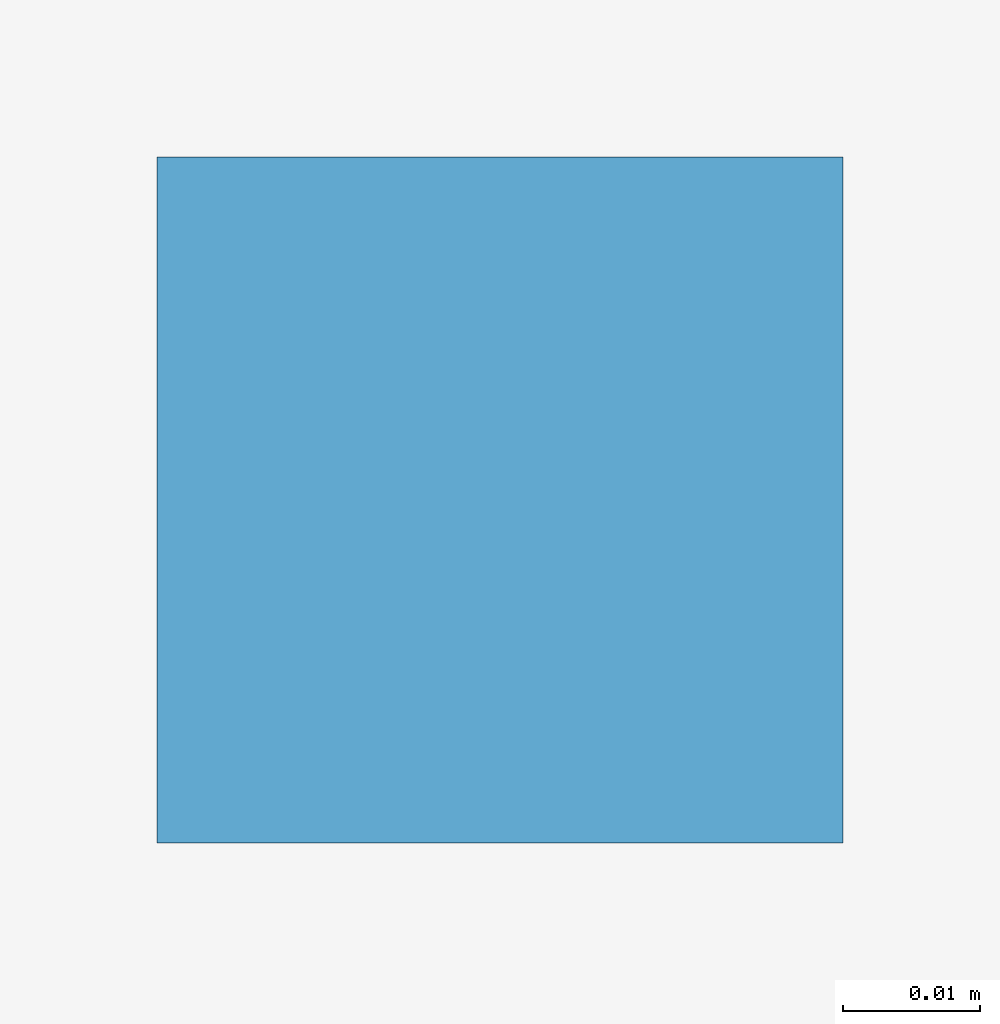
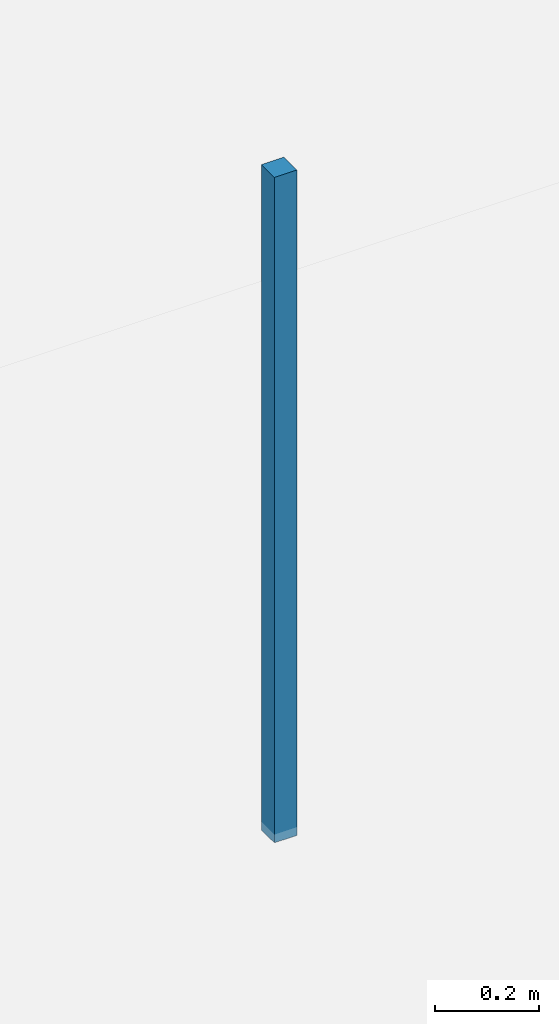
# One storey, part 45 of 54: 1 discrete accessory.
"""IFC4 building model written with IfcOpenShell, lengths in metres."""

import ifcopenshell
import ifcopenshell.guid

model = None  # the IFC model being written
_history = None  # IfcOwnerHistory: only IFC2X3 demands one
_inside = {}  # id of a spatial element -> (the spatial element, [elements in it])
_under = {}  # id of a project, library or spatial element -> (it, [spatial elements below it])
_declared = {}  # id of a project -> (the project, [libraries it declares])
_typed = {}  # id of a type object -> (the type object, [elements of that type])
_made_of = {}  # id of a material, layer set ... -> (it, [elements and type objects made of it])


def new_model(schema):
    """Start an empty IFC model of exactly this schema.

    Asked for "IFC4X3", IfcOpenShell would pick the latest addendum, in which some entities
    have other attributes; the version numbers below select the first issue.
    IFC2X3 requires an IfcOwnerHistory on every rooted entity: one is made here for all.
    """
    global model, _history
    if schema == "IFC4X3":
        model = ifcopenshell.file(schema_version=(4, 3, 0, 0))
    else:
        model = ifcopenshell.file(schema=schema)
    _inside.clear()
    _under.clear()
    _declared.clear()
    _typed.clear()
    _made_of.clear()
    _history = None
    if model.schema == "IFC2X3":
        org = make("IfcOrganization", Name="unknown")
        user = make(
            "IfcPersonAndOrganization",
            ThePerson=make("IfcPerson", FamilyName="unknown"),
            TheOrganization=org,
        )
        app = make(
            "IfcApplication",
            ApplicationDeveloper=org,
            Version="unknown",
            ApplicationFullName="unknown",
            ApplicationIdentifier="unknown",
        )
        _history = make(
            "IfcOwnerHistory",
            OwningUser=user,
            OwningApplication=app,
            ChangeAction="ADDED",
            CreationDate=0,
        )
    return model


def make(cls, **values):
    """One entity of the class cls with the attributes given. An attribute that is None is left unset."""
    return model.create_entity(
        cls, **{name: value for name, value in values.items() if value is not None}
    )


def rooted(cls, **values):
    """An entity with a GlobalId (a new one), such as an element, a storey or a relation."""
    return make(cls, GlobalId=ifcopenshell.guid.new(), OwnerHistory=_history, **values)


def si_unit(unit_type, name, prefix=None):
    """IfcSIUnit, for example si_unit("LENGTHUNIT", "METRE", prefix="MILLI")."""
    return make("IfcSIUnit", UnitType=unit_type, Prefix=prefix, Name=name)


def assignment(units):
    """IfcUnitAssignment: the units of a project."""
    return None if units is None else make("IfcUnitAssignment", Units=units)


def point(xyz):
    """IfcCartesianPoint."""
    return None if xyz is None else make("IfcCartesianPoint", Coordinates=xyz)


def direction(xyz):
    """IfcDirection."""
    return None if xyz is None else make("IfcDirection", DirectionRatios=xyz)


def frame(location, z_axis=None, x_axis=None):
    """IfcAxis2Placement3D, a coordinate frame: its origin and axes. An axis left out is left unset."""
    return make(
        "IfcAxis2Placement3D",
        Location=point(location),
        Axis=direction(z_axis),
        RefDirection=direction(x_axis),
    )


def frame_2d(location, x_axis=None):
    """IfcAxis2Placement2D, a coordinate frame in the plane: its origin and x axis."""
    return make(
        "IfcAxis2Placement2D", Location=point(location), RefDirection=direction(x_axis)
    )


def origin():
    """The frame at (0, 0, 0) with its axes left unset."""
    return frame((0.0, 0.0, 0.0))


def origin_2d():
    """The frame at (0, 0) in the plane with its x axis left unset."""
    return frame_2d((0.0, 0.0))


def place(relative_to, where):
    """IfcLocalPlacement: puts the frame where relative to a parent placement (None: the world)."""
    return make(
        "IfcLocalPlacement", PlacementRelTo=relative_to, RelativePlacement=where
    )


def context(
    kind, dimensions, precision=None, world=None, true_north=None, identifier=None
):
    """IfcGeometricRepresentationContext, for example the 3D "Model" context."""
    return make(
        "IfcGeometricRepresentationContext",
        ContextIdentifier=identifier,
        ContextType=kind,
        CoordinateSpaceDimension=dimensions,
        Precision=precision,
        WorldCoordinateSystem=world,
        TrueNorth=true_north,
    )


def subcontext(parent, identifier, kind, view, scale=None):
    """IfcGeometricRepresentationSubContext, for example "Body" below "Model"."""
    return make(
        "IfcGeometricRepresentationSubContext",
        ContextIdentifier=identifier,
        ContextType=kind,
        ParentContext=parent,
        TargetScale=scale,
        TargetView=view,
    )


def project(units=None, contexts=None):
    """IfcProject with its units and contexts."""
    return rooted(
        "IfcProject",
        Name="project",
        RepresentationContexts=contexts,
        UnitsInContext=assignment(units),
    )


def spatial(cls, under=None, at=None, **own):
    """A site, building, storey or space (cls), placed at a placement, below another one or the project."""
    s = rooted(cls, ObjectPlacement=at, **own)
    if under is not None:
        _under.setdefault(under.id(), (under, []))[1].append(s)
    return s


def profile(cls, at=None, kind="AREA", **sizes):
    """A parametric profile (cls). Its sizes go by their IFC names, for example OverallWidth=200.0."""
    return make(cls, ProfileType=kind, Position=at, **sizes)


def rectangle(**sizes):
    """IfcRectangleProfileDef."""
    return profile("IfcRectangleProfileDef", **sizes)


def extrude(swept, where, along, depth):
    """IfcExtrudedAreaSolid: the profile swept, set in the frame where, extruded along a direction by depth."""
    return make(
        "IfcExtrudedAreaSolid",
        SweptArea=swept,
        Position=where,
        ExtrudedDirection=direction(along),
        Depth=depth,
    )


def shape(context_of_items, identifier, shape_type, items):
    """IfcShapeRepresentation: the items that make up one representation, for example the "Body"."""
    return make(
        "IfcShapeRepresentation",
        ContextOfItems=context_of_items,
        RepresentationIdentifier=identifier,
        RepresentationType=shape_type,
        Items=items,
    )


def material(Name=None, Category=None):
    """IfcMaterial."""
    return make("IfcMaterial", Name=Name, Category=Category)


def made_of(thing, what):
    """Note that an element or type object is made of a material, layer set ...; save() writes the relation."""
    if what is not None:
        _made_of.setdefault(what.id(), (what, []))[1].append(thing)
    return thing


def type_object(cls, material=None, **own):
    """A type object (cls), such as IfcWallType, which elements share."""
    return made_of(rooted(cls, **own), material)


def element(
    cls,
    number,
    at=None,
    inside=None,
    cuts=None,
    type_object=None,
    material=None,
    context=None,
    identifier="Body",
    shape_type=None,
    held_by="IfcProductDefinitionShape",
    body=None,
    shapes=None,
    **own,
):
    """One element of the class cls, such as IfcWall. Its Tag is "e" and its number.

    at: its placement. inside: the storey or other place that contains it. cuts: it is an
    opening in that element (IfcRelVoidsElement). A single representation is given by context,
    identifier, shape_type and body (its items); several are given by shapes. held_by: the class
    of the entity that holds the representations. save() writes the other relations.
    """
    e = rooted(cls, Tag="e%d" % number, ObjectPlacement=at, **own)
    if body is not None:
        shapes = [shape(context, identifier, shape_type, body)]
    if shapes is not None:
        e.Representation = make(held_by, Representations=shapes)
    if inside is not None:
        _inside.setdefault(inside.id(), (inside, []))[1].append(e)
    if cuts is not None:
        rooted(
            "IfcRelVoidsElement", RelatingBuildingElement=cuts, RelatedOpeningElement=e
        )
    if type_object is not None:
        _typed.setdefault(type_object.id(), (type_object, []))[1].append(e)
    return made_of(e, material)


def aggregate(whole, parts):
    """IfcRelAggregates: a whole, such as a stair, and the parts it consists of."""
    return rooted("IfcRelAggregates", RelatingObject=whole, RelatedObjects=parts)


def save(model, path):
    """Write the relations noted so far, then the file.

    IfcRelAggregates (storeys below a building ...), IfcRelContainedInSpatialStructure (elements
    in a storey), IfcRelDefinesByType, IfcRelAssociatesMaterial and IfcRelDeclares: one each for
    every whole, place, type object, material and project.
    """
    for whole, parts in _under.values():
        aggregate(whole, parts)
    for where, things in _inside.values():
        rooted(
            "IfcRelContainedInSpatialStructure",
            RelatedElements=things,
            RelatingStructure=where,
        )
    for kind, things in _typed.values():
        rooted("IfcRelDefinesByType", RelatedObjects=things, RelatingType=kind)
    for what, things in _made_of.values():
        rooted("IfcRelAssociatesMaterial", RelatedObjects=things, RelatingMaterial=what)
    for by, libraries in _declared.values():
        rooted("IfcRelDeclares", RelatingContext=by, RelatedDefinitions=libraries)
    model.write(path)


model = new_model("IFC4")

# Units and contexts
model_context = context("Model", 3, precision=1e-05, world=origin(), true_north=direction((0.0, 1.0)))
body_context = subcontext(model_context, "Body", "Model", "MODEL_VIEW")
ifc_project = project(units=[si_unit("LENGTHUNIT", "METRE"), si_unit("AREAUNIT", "SQUARE_METRE"), si_unit("VOLUMEUNIT", "CUBIC_METRE"), si_unit("PLANEANGLEUNIT", "RADIAN"), si_unit("MASSUNIT", "GRAM", prefix="KILO")], contexts=[model_context])

# Site, building, storey
site_placement = place(None, origin())
site = spatial("IfcSite", under=ifc_project, at=site_placement, CompositionType="ELEMENT")
building_placement = place(site_placement, origin())
building = spatial("IfcBuilding", under=site, at=building_placement, Name="Kazehaya Institute of Natural Sciences", CompositionType="ELEMENT")
storey_placement = place(building_placement, frame((0.0, 0.0, 5.39990234375)))
storey = spatial("IfcBuildingStorey", under=building, at=storey_placement, Name="L01", CompositionType="ELEMENT", Elevation=5.39990234375)

# Discrete accessory
ifc_material = material(Name="Structural steel SN490B", Category="steel")
discrete_accessory_type = type_object("IfcDiscreteAccessoryType", Name="ACC-CLG-HGR", PredefinedType="BRACKET", material=ifc_material)
discrete_accessory_placement = place(storey_placement, frame((101.397705078125, 104.005615234375, 3.392578125), z_axis=(0.0, 0.0, 1.0), x_axis=(1.0, 0.0, 0.0)))
element("IfcDiscreteAccessory", 1, at=discrete_accessory_placement, inside=storey, type_object=discrete_accessory_type, Name="L01 ceiling suspension hanger 22", PredefinedType="BRACKET", context=body_context, shape_type="SweptSolid", body=[
    extrude(rectangle(XDim=0.050048828125, YDim=0.050048828125, at=origin_2d()), origin(), (0.0, 0.0, 1.0), 1.5673828125),
])

save(model, "model.ifc")
